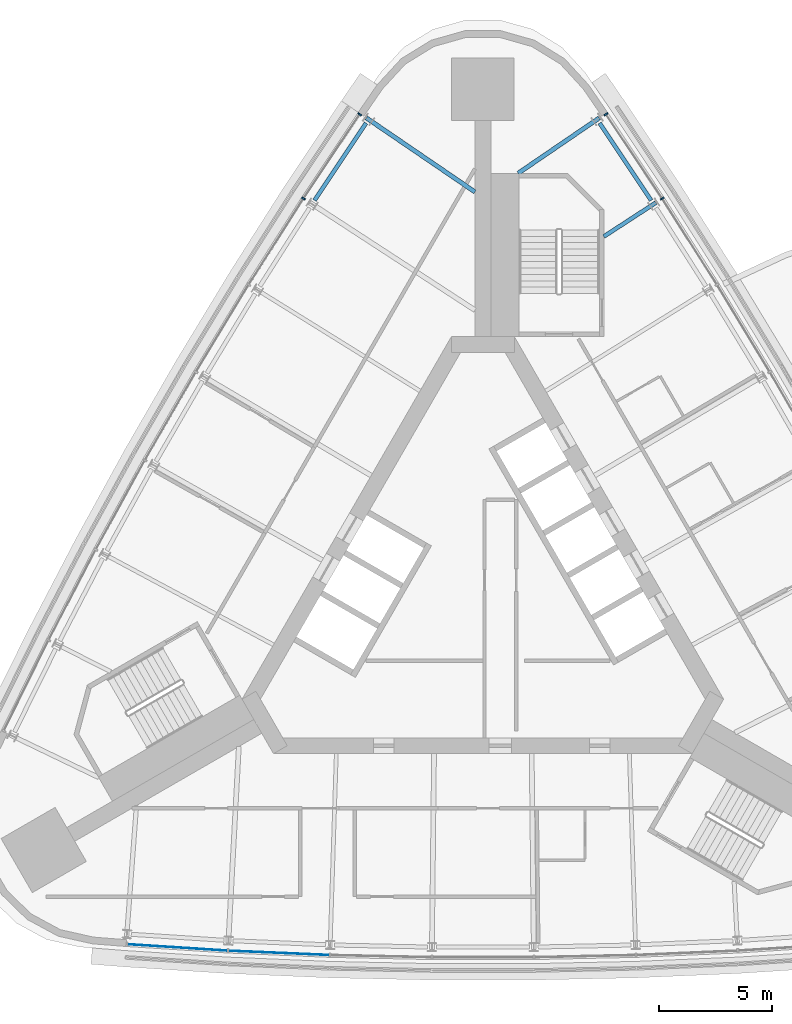
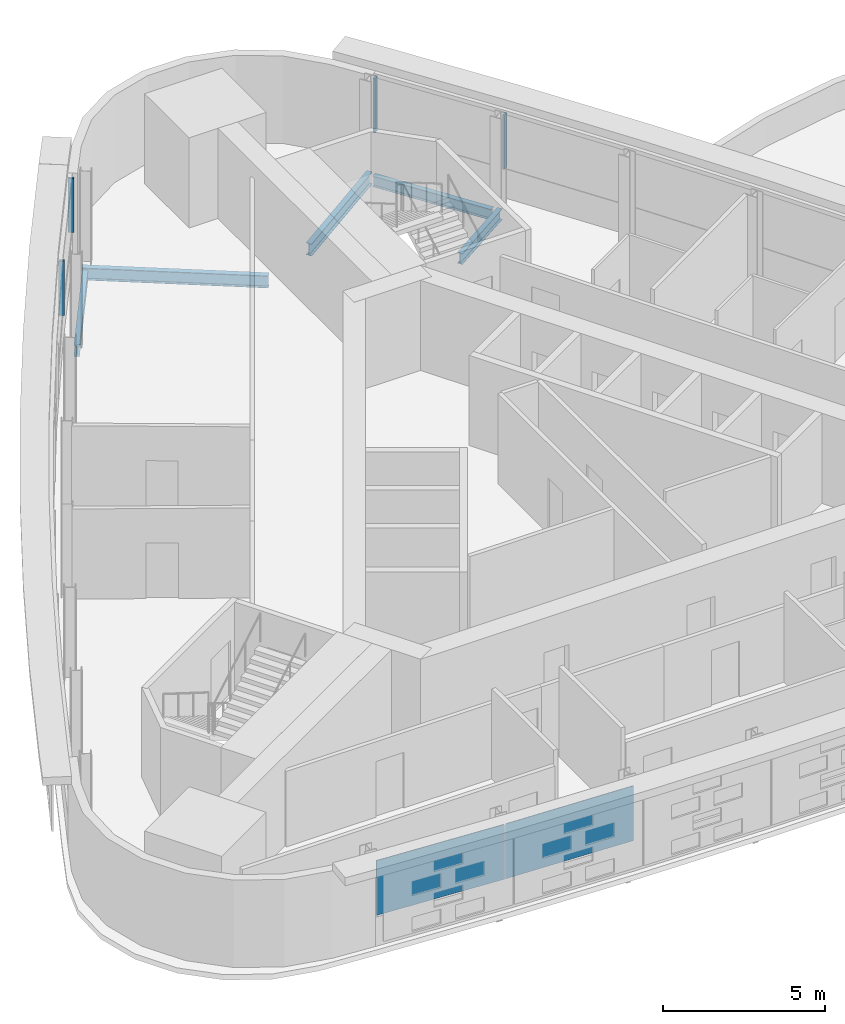
# One storey, part 6 of 12: 5 beams, 4 members, 2 plates, 3 elements without a shape of their own.
"""IFC4 building model written with IfcOpenShell, lengths in metres."""

from ifc_helpers import new_model, si_unit, direction, frame, origin, origin_2d, place, context, subcontext, project, spatial, rectangle, i_section, extrude, material, layer, layer_set, material_profile, profile_set, type_object, element, aggregate, save


model = new_model("IFC4")

# Units and contexts
model_context = context("Model", 3, precision=1e-05, world=origin(), true_north=direction((0.0, 1.0)))
body_context = subcontext(model_context, "Body", "Model", "MODEL_VIEW")
ifc_project = project(units=[si_unit("LENGTHUNIT", "METRE"), si_unit("AREAUNIT", "SQUARE_METRE"), si_unit("VOLUMEUNIT", "CUBIC_METRE"), si_unit("PLANEANGLEUNIT", "RADIAN"), si_unit("MASSUNIT", "GRAM", prefix="KILO")], contexts=[model_context])

# Site, building, storey
site_placement = place(None, origin())
site = spatial("IfcSite", under=ifc_project, at=site_placement, CompositionType="ELEMENT")
building_placement = place(site_placement, origin())
building = spatial("IfcBuilding", under=site, at=building_placement, Name="Noor Cloister Tower", CompositionType="ELEMENT")
storey_placement = place(building_placement, frame((0.0, 0.0, 185.10009765625)))
storey = spatial("IfcBuildingStorey", under=building, at=storey_placement, Name="L47", CompositionType="ELEMENT", Elevation=185.10009765625)

# Curtain wall, members
ifc_material_1 = material(Name="Aluminium 6063-T6 anodised", Category="aluminium")
curtain_wall_type = type_object("IfcCurtainWallType", Name="Ribbon curtain wall, upper tower CW5", PredefinedType="NOTDEFINED", material=ifc_material_1)
curtain_wall_1_placement = place(storey_placement, origin())
curtain_wall_1 = element("IfcCurtainWall", 1, at=curtain_wall_1_placement, inside=storey, type_object=curtain_wall_type, Name="CW5 L47 NW run 1", PredefinedType="NOTDEFINED")
ifc_material_2 = material(Name="Aluminium 6063-T6 anodised", Category="aluminium")
ifc_material_profile_1 = material_profile(ifc_material_2, rectangle(XDim=0.179931640625, YDim=0.070068359375, at=origin_2d()), Name="180 x 70 mullion")
ifc_profile_set_1 = profile_set([ifc_material_profile_1], Name="Aluminium 6063-T6 anodised")
member_type = type_object("IfcMemberType", Name="Mullion CW5 70 x 180", PredefinedType="MULLION", material=ifc_profile_set_1)
member_1_placement = place(storey_placement, frame((-5.430419921875, 21.257080078125, 1.099853515625), z_axis=(0.0, 0.0, 1.0), x_axis=(0.832149936084, -0.554550704513, 0.0)))
member_1 = element("IfcMember", 2, at=member_1_placement, type_object=member_type, Name="CW5 mullion 1", PredefinedType="MULLION", context=body_context, shape_type="SweptSolid", body=[
    extrude(rectangle(XDim=0.179931640625, YDim=0.070068359375, at=origin_2d()), origin(), (0.0, 0.0, 1.0), 2.050048828125),
])
member_2_placement = place(storey_placement, frame((-7.906005859375, 17.54248046875, 1.099853515625), z_axis=(0.0, 0.0, 1.0), x_axis=(0.838038080701, -0.545611744096, 0.0)))
member_2 = element("IfcMember", 3, at=member_2_placement, type_object=member_type, Name="CW5 mullion 2", PredefinedType="MULLION", context=body_context, shape_type="SweptSolid", body=[
    extrude(rectangle(XDim=0.179931640625, YDim=0.070068359375, at=origin_2d()), origin(), (0.0, 0.0, 1.0), 2.050048828125),
])
aggregate(curtain_wall_1, [member_1, member_2])

curtain_wall_2_placement = place(storey_placement, origin())
curtain_wall_2 = element("IfcCurtainWall", 4, at=curtain_wall_2_placement, inside=storey, type_object=curtain_wall_type, Name="CW5 L47 NE run 3", PredefinedType="NOTDEFINED")
member_3_placement = place(storey_placement, frame((7.906005859375, 17.54248046875, 1.099853515625), z_axis=(0.0, 0.0, 1.0), x_axis=(-0.838038080701, -0.545611744096, 0.0)))
member_3 = element("IfcMember", 5, at=member_3_placement, type_object=member_type, Name="CW5 mullion 7", PredefinedType="MULLION", context=body_context, shape_type="SweptSolid", body=[
    extrude(rectangle(XDim=0.179931640625, YDim=0.070068359375, at=origin_2d()), origin(), (0.0, 0.0, 1.0), 2.050048828125),
])
member_4_placement = place(storey_placement, frame((5.430419921875, 21.257080078125, 1.099853515625), z_axis=(0.0, 0.0, 1.0), x_axis=(-0.832149936084, -0.554550704513, 0.0)))
member_4 = element("IfcMember", 6, at=member_4_placement, type_object=member_type, Name="CW5 mullion 8", PredefinedType="MULLION", context=body_context, shape_type="SweptSolid", body=[
    extrude(rectangle(XDim=0.179931640625, YDim=0.070068359375, at=origin_2d()), origin(), (0.0, 0.0, 1.0), 2.050048828125),
])
aggregate(curtain_wall_2, [member_3, member_4])

# Beams
ifc_material_3 = material(Name="Steel ASTM A992 Gr 50", Category="steel")
ifc_material_profile_2 = material_profile(ifc_material_3, i_section(OverallWidth=0.177978515625, OverallDepth=0.406005859375, WebThickness=0.0078125, FlangeThickness=0.0126953125, FilletRadius=0.01025390625, at=origin_2d()), Name="W410x60")
ifc_profile_set_2 = profile_set([ifc_material_profile_2], Name="Steel ASTM A992 Gr 50")
beam_type_1 = type_object("IfcBeamType", Name="Radial beam W410x60", PredefinedType="BEAM", material=ifc_profile_set_2)
beam_1_placement = place(storey_placement, frame((7.622802734375, 17.358154296875, -0.403076171875), z_axis=(-0.83804279392, -0.545604504709, 0.0), x_axis=(0.545604504709, -0.83804279392, 0.0)))
element("IfcBeam", 7, at=beam_1_placement, inside=storey, type_object=beam_type_1, Name="Radial beam NE 07 L47", PredefinedType="BEAM", context=body_context, shape_type="SweptSolid", body=[
    extrude(i_section(OverallWidth=0.177978515625, OverallDepth=0.406005859375, WebThickness=0.0078125, FlangeThickness=0.0126953125, FilletRadius=0.01025390625, at=origin_2d()), origin(), (0.0, 0.0, 1.0), 2.72900390625),
])
ifc_material_4 = material(Name="Steel ASTM A992 Gr 50", Category="steel")
ifc_material_profile_3 = material_profile(ifc_material_4, i_section(OverallWidth=0.19091796875, OverallDepth=0.45703125, WebThickness=0.009033203125, FlangeThickness=0.014404296875, FilletRadius=0.01025390625, at=origin_2d()), Name="W460x74")
ifc_profile_set_3 = profile_set([ifc_material_profile_3], Name="Steel ASTM A992 Gr 50")
beam_type_2 = type_object("IfcBeamType", Name="Radial beam W460x74", PredefinedType="BEAM", material=ifc_profile_set_3)
beam_2_placement = place(storey_placement, frame((-5.132568359375, 21.094970703125, -0.4287109375), z_axis=(0.826151493041, -0.563448054879, 0.0), x_axis=(0.563448054879, 0.826151493041, 0.0)))
element("IfcBeam", 8, at=beam_2_placement, inside=storey, type_object=beam_type_2, Name="Radial beam NW 01 L47", PredefinedType="BEAM", context=body_context, shape_type="SweptSolid", body=[
    extrude(i_section(OverallWidth=0.19091796875, OverallDepth=0.45703125, WebThickness=0.009033203125, FlangeThickness=0.014404296875, FilletRadius=0.01025390625, at=origin_2d()), origin(), (0.0, 0.0, 1.0), 5.788818359375),
])
beam_3_placement = place(storey_placement, frame((5.132568359375, 21.094970703125, -0.4287109375), z_axis=(-0.826172441136, -0.563417338664, 0.0), x_axis=(0.563417338664, -0.826172441136, 0.0)))
element("IfcBeam", 9, at=beam_3_placement, inside=storey, type_object=beam_type_2, Name="Radial beam NE 08 L47", PredefinedType="BEAM", context=body_context, shape_type="SweptSolid", body=[
    extrude(i_section(OverallWidth=0.19091796875, OverallDepth=0.45703125, WebThickness=0.009033203125, FlangeThickness=0.014404296875, FilletRadius=0.01025390625, at=origin_2d()), origin(), (0.0, 0.0, 1.0), 4.328125),
])
ifc_material_5 = material(Name="Steel ASTM A992 Gr 50", Category="steel")
ifc_material_profile_4 = material_profile(ifc_material_5, i_section(OverallWidth=0.177978515625, OverallDepth=0.406005859375, WebThickness=0.0078125, FlangeThickness=0.0126953125, FilletRadius=0.01025390625, at=origin_2d()), Name="W410x60")
ifc_profile_set_4 = profile_set([ifc_material_profile_4], Name="Steel ASTM A992 Gr 50")
beam_type_3 = type_object("IfcBeamType", Name="Spandrel beam W410x60", PredefinedType="SPANDREL", material=ifc_profile_set_4)
for number, where, z_axis, x_axis, name in (
    (10, (-5.149169921875, 20.867919921875, -0.403076171875), (-0.554562580058, -0.832142022012, 0.0), (0.832142022012, -0.554562580058, 0.0), "Spandrel beam NW 01 L47"),
    (11, (7.419677734375, 17.4609375, -0.403076171875), (-0.554562580058, 0.832142022012, 0.0), (-0.832142022012, -0.554562580058, 0.0), "Spandrel beam NE 07 L47"),
):
    element("IfcBeam", number, at=place(storey_placement, frame(where, z_axis=z_axis, x_axis=x_axis)), inside=storey, type_object=beam_type_3, Name=name, PredefinedType="SPANDREL", context=body_context, shape_type="SweptSolid", body=[
        extrude(i_section(OverallWidth=0.177978515625, OverallDepth=0.406005859375, WebThickness=0.0078125, FlangeThickness=0.0126953125, FilletRadius=0.01025390625, at=origin_2d()), origin(), (0.0, 0.0, 1.0), 4.09423828125),
    ])

# Curtain wall, plates
curtain_wall_3_placement = place(storey_placement, origin())
curtain_wall_3 = element("IfcCurtainWall", 12, at=curtain_wall_3_placement, inside=storey, type_object=curtain_wall_type, Name="CW5 L47 S run 2", PredefinedType="NOTDEFINED")
ifc_material_6 = material(Name="Clear laminated glass 2 x 8 mm", Category="glass")
ifc_layer = layer(ifc_material_6, 0.028076171875)
ifc_layer_set = layer_set([ifc_layer], Name="Glass panel CW5")
plate_type = type_object("IfcPlateType", Name="Glass panel CW5", PredefinedType="CURTAIN_PANEL", material=ifc_layer_set)
plate_1_placement = place(storey_placement, frame((-13.466552734375, -15.474853515625, 1.08984375), z_axis=(0.0, 0.0, 1.0), x_axis=(0.997938336663, -0.064180029753, 0.0)))
plate_1 = element("IfcPlate", 13, at=plate_1_placement, type_object=plate_type, Name="CW5 glass panel 1", PredefinedType="CURTAIN_PANEL", context=body_context, shape_type="SweptSolid", body=[
    extrude(rectangle(XDim=4.413818359375, YDim=0.028076171875, at=origin_2d()), origin(), (0.0, 0.0, 1.0), 2.070068359375),
])
plate_2_placement = place(storey_placement, frame((-8.992431640625, -15.71435546875, 1.08984375), z_axis=(0.0, 0.0, 1.0), x_axis=(0.999083529933, -0.042803039807, 0.0)))
plate_2 = element("IfcPlate", 14, at=plate_2_placement, type_object=plate_type, Name="CW5 glass panel 2", PredefinedType="CURTAIN_PANEL", context=body_context, shape_type="SweptSolid", body=[
    extrude(rectangle(XDim=4.44775390625, YDim=0.028076171875, at=origin_2d()), origin(), (0.0, 0.0, 1.0), 2.070068359375),
])
aggregate(curtain_wall_3, [plate_1, plate_2])

save(model, "model.ifc")
